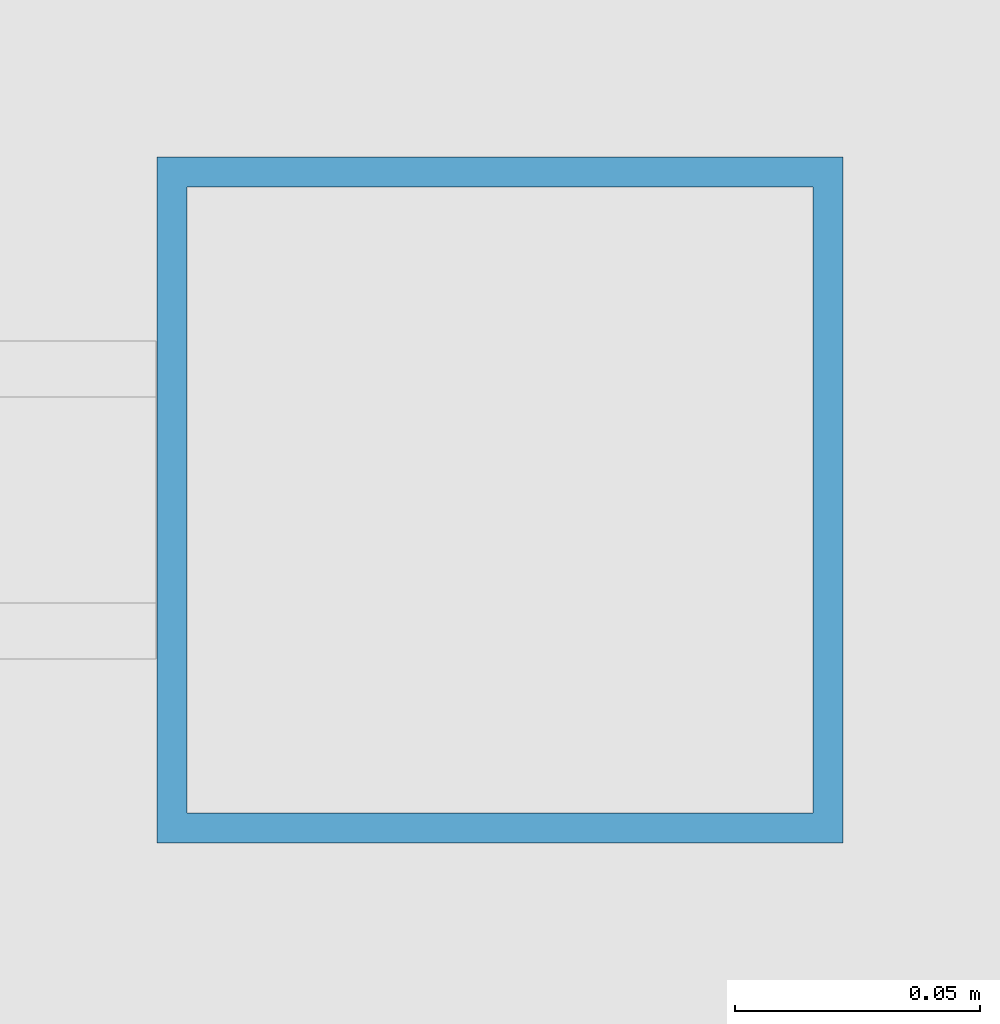
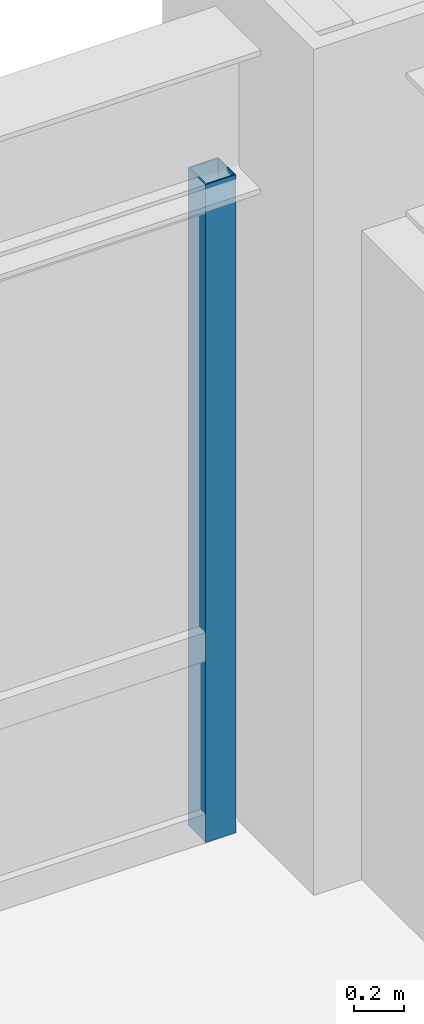
# One storey, part 21 of 28: 1 member, 1 element without a shape of its own.
"""IFC4 building model written with IfcOpenShell, lengths in metres."""

from ifc_helpers import new_model, si_unit, direction, frame, origin, origin_2d, place, context, subcontext, project, spatial, hollow_rectangle, extrude, source, transform, mapped, material, material_profile, profile_set, type_object, element, aggregate, save


model = new_model("IFC4")

# Units and contexts
model_context = context("Model", 3, precision=1e-05, world=origin(), true_north=direction((0.0, 1.0)))
body_context = subcontext(model_context, "Body", "Model", "MODEL_VIEW")
ifc_project = project(units=[si_unit("LENGTHUNIT", "METRE"), si_unit("AREAUNIT", "SQUARE_METRE"), si_unit("VOLUMEUNIT", "CUBIC_METRE"), si_unit("PLANEANGLEUNIT", "RADIAN"), si_unit("MASSUNIT", "GRAM", prefix="KILO")], contexts=[model_context])

# Site, building, storey
site_placement = place(None, origin())
site = spatial("IfcSite", under=ifc_project, at=site_placement, CompositionType="ELEMENT")
building_placement = place(site_placement, origin())
building = spatial("IfcBuilding", under=site, at=building_placement, Name="Khorayat Bourse Tower", CompositionType="ELEMENT")
storey_placement = place(building_placement, frame((0.0, 0.0, 120.10009765625)))
storey = spatial("IfcBuildingStorey", under=building, at=storey_placement, Name="L27", CompositionType="ELEMENT", Elevation=120.10009765625)

# Curtain wall, member
ifc_material = material(Name="Aluminium EN AW-6063 T6", Category="aluminium")
curtain_wall_type = type_object("IfcCurtainWallType", Name="CW-SYS-02", PredefinedType="NOTDEFINED", material=ifc_material)
curtain_wall_placement = place(storey_placement, origin())
curtain_wall = element("IfcCurtainWall", 1, at=curtain_wall_placement, inside=storey, type_object=curtain_wall_type, Name="L27 Curtain Wall CW-L27-N1", PredefinedType="NOTDEFINED")
ifc_material_profile = material_profile(ifc_material, hollow_rectangle(XDim=0.139892578125, YDim=0.139892578125, WallThickness=0.006103515625, at=origin_2d()), Name="ALU 140x140x6")
ifc_profile_set = profile_set([ifc_material_profile], Name="Aluminium EN AW-6063 T6")
member_type = type_object("IfcMemberType", Name="CWM-VERT-140", PredefinedType="MULLION", material=ifc_profile_set)
shared_shape = source(origin(), body_context, "Body", "SweptSolid", [
    extrude(hollow_rectangle(XDim=0.139892578125, YDim=0.139892578125, WallThickness=0.006103515625, at=origin_2d()), origin(), (0.0, 0.0, 1.0), 3.18994140625),
])
member_placement = place(storey_placement, frame((27.280029296875, 32.0, 0.0), z_axis=(0.0, 0.0, 1.0), x_axis=(0.0, 1.0, 0.0)))
member = element("IfcMember", 2, at=member_placement, type_object=member_type, Name="CW-L27-N1 Vertical Mullion 3", PredefinedType="MULLION", context=body_context, shape_type="MappedRepresentation", body=[
    mapped(shared_shape, transform((0.0, 0.0, 0.0), scale=1.0)),
])
aggregate(curtain_wall, [member])

save(model, "model.ifc")
